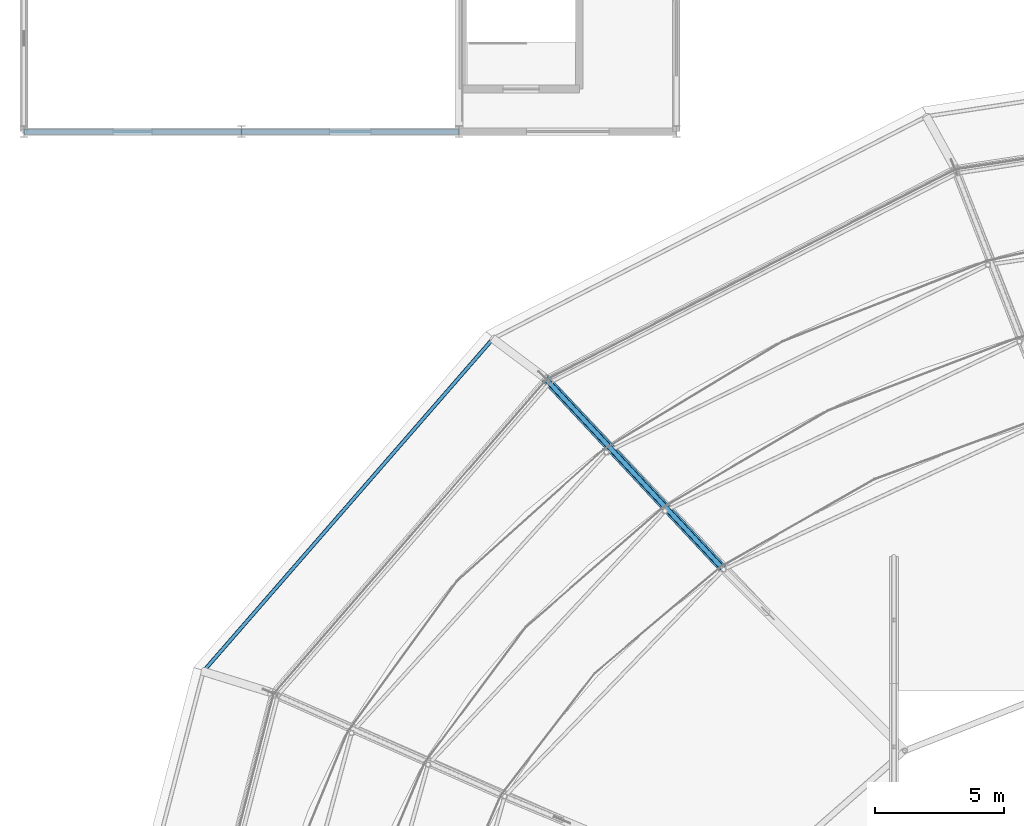
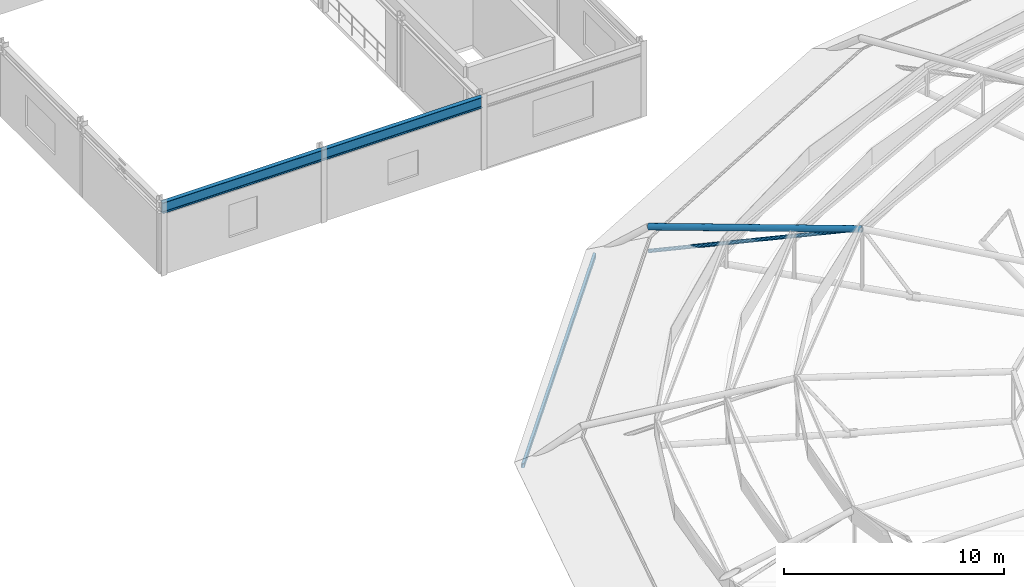
# One storey, part 40 of 134: 3 beams, 2 members.
"""IFC4 building model written with IfcOpenShell, lengths in metres."""

from ifc_helpers import new_model, si_unit, derived_unit, direction, frame, origin, origin_2d, place, context, subcontext, project, spatial, hollow_rectangle, hollow_circle, i_section, extrude, material, material_profile, profile_set, type_object, element, save


model = new_model("IFC4")

# Units and contexts
model_context = context("Model", 3, precision=1e-05, world=origin(), true_north=direction((0.0, 1.0)))
body_context = subcontext(model_context, "Body", "Model", "MODEL_VIEW")
ifc_project = project(units=[si_unit("LENGTHUNIT", "METRE"), si_unit("AREAUNIT", "SQUARE_METRE"), si_unit("VOLUMEUNIT", "CUBIC_METRE"), si_unit("PLANEANGLEUNIT", "RADIAN"), si_unit("MASSUNIT", "GRAM", prefix="KILO"), derived_unit("THERMALTRANSMITTANCEUNIT", [(si_unit("MASSUNIT", "GRAM", prefix="KILO"), 1), (si_unit("TIMEUNIT", "SECOND"), -3), (si_unit("THERMODYNAMICTEMPERATUREUNIT", "KELVIN"), -1)])], contexts=[model_context])

# Site, building, storey
site_placement = place(None, origin())
site = spatial("IfcSite", under=ifc_project, at=site_placement, CompositionType="ELEMENT")
building_placement = place(site_placement, origin())
building = spatial("IfcBuilding", under=site, at=building_placement, Name="Kharveza Railside Sports Centre", CompositionType="ELEMENT")
storey_placement = place(building_placement, frame((0.0, 0.0, 12.89990234375)))
storey = spatial("IfcBuildingStorey", under=building, at=storey_placement, Name="L03", CompositionType="ELEMENT", Elevation=12.89990234375)

# Beams
ifc_material = material(Name="Steel S355J2", Category="steel")
ifc_material_profile_1 = material_profile(ifc_material, i_section(OverallWidth=0.219970703125, OverallDepth=0.60009765625, WebThickness=0.011962890625, FlangeThickness=0.01904296875, FilletRadius=0.02392578125, at=origin_2d()), Name="IPE 600")
ifc_profile_set_1 = profile_set([ifc_material_profile_1], Name="Steel S355J2")
beam_type_1 = type_object("IfcBeamType", Name="BM-G01", PredefinedType="T_BEAM", material=ifc_profile_set_1)
beam_1_placement = place(storey_placement, frame((0.0, 86.39990234375, 3.66015625), z_axis=(1.0, 0.0, 0.0), x_axis=(0.0, 1.0, 0.0)))
element("IfcBeam", 1, at=beam_1_placement, inside=storey, type_object=beam_type_1, Name="BM-EW-L03-B01-X0-Y864", PredefinedType="T_BEAM", context=body_context, shape_type="SweptSolid", body=[
    extrude(i_section(OverallWidth=0.219970703125, OverallDepth=0.60009765625, WebThickness=0.011962890625, FlangeThickness=0.01904296875, FilletRadius=0.02392578125, at=origin_2d()), origin(), (0.0, 0.0, 1.0), 8.39990234375),
])
beam_2_placement = place(storey_placement, frame((8.39990234375, 86.39990234375, 3.66015625), z_axis=(1.0, 0.0, 0.0), x_axis=(0.0, 1.0, 0.0)))
element("IfcBeam", 2, at=beam_2_placement, inside=storey, type_object=beam_type_1, Name="BM-EW-L03-B01-X84-Y864", PredefinedType="T_BEAM", context=body_context, shape_type="SweptSolid", body=[
    extrude(i_section(OverallWidth=0.219970703125, OverallDepth=0.60009765625, WebThickness=0.011962890625, FlangeThickness=0.01904296875, FilletRadius=0.02392578125, at=origin_2d()), origin(), (0.0, 0.0, 1.0), 8.400146484375),
])
ifc_material_profile_2 = material_profile(ifc_material, hollow_rectangle(XDim=0.14990234375, YDim=0.25, WallThickness=0.010009765625, InnerFilletRadius=0.010009765625, OuterFilletRadius=0.02001953125, at=origin_2d()), Name="RHS 150x250x10.0")
ifc_profile_set_2 = profile_set([ifc_material_profile_2], Name="Steel S355J2")
beam_type_2 = type_object("IfcBeamType", Name="BM-SP04", PredefinedType="SPANDREL", material=ifc_profile_set_2)
beam_3_placement = place(storey_placement, frame((18.11328125, 78.4013671875, -0.47998046875), z_axis=(-0.656649810387, -0.754195615553, 0.0), x_axis=(0.754195615553, -0.656649810387, 0.0)))
element("IfcBeam", 3, at=beam_3_placement, inside=storey, type_object=beam_type_2, Name="BM-LIDRING-RIM-07", PredefinedType="SPANDREL", context=body_context, shape_type="SweptSolid", body=[
    extrude(hollow_rectangle(XDim=0.14990234375, YDim=0.25, WallThickness=0.010009765625, InnerFilletRadius=0.010009765625, OuterFilletRadius=0.02001953125, at=origin_2d()), origin(), (0.0, 0.0, 1.0), 17.0341796875),
])

# Members
ifc_material_profile_3 = material_profile(ifc_material, hollow_circle(Radius=0.161865234375, WallThickness=0.01611328125, at=origin_2d()), Name="CHS 323.9x16.0")
ifc_profile_set_3 = profile_set([ifc_material_profile_3], Name="Steel S355J2")
member_type_1 = type_object("IfcMemberType", Name="MB-CH02", PredefinedType="CHORD", material=ifc_profile_set_3)
member_1_placement = place(storey_placement, frame((27.022705078125, 69.491943359375, 3.25), z_axis=(-0.670071214212, 0.717948620491, -0.188558601554), x_axis=(-0.731062462895, -0.682310541723, 0.0)))
element("IfcMember", 4, at=member_1_placement, inside=storey, type_object=member_type_1, Name="MB-OUT-TC2-07", PredefinedType="CHORD", context=body_context, shape_type="SweptSolid", body=[
    extrude(hollow_circle(Radius=0.161865234375, WallThickness=0.01611328125, at=origin_2d()), origin(), (0.0, 0.0, 1.0), 10.34130859375),
])
ifc_material_profile_4 = material_profile(ifc_material, hollow_circle(Radius=0.096923828125, WallThickness=0.010009765625, at=origin_2d()), Name="CHS 193.7x10.0")
ifc_profile_set_4 = profile_set([ifc_material_profile_4], Name="Steel S355J2")
member_type_2 = type_object("IfcMemberType", Name="MB-ST02", PredefinedType="STRUT", material=ifc_profile_set_4)
member_2_placement = place(storey_placement, frame((27.022705078125, 69.491943359375, 3.25), z_axis=(-0.648916467759, 0.695282341578, -0.309014374035), x_axis=(-0.731062462895, -0.682310541723, 0.0)))
element("IfcMember", 5, at=member_2_placement, inside=storey, type_object=member_type_2, Name="MB-OUT-WEB-07-3", PredefinedType="STRUT", context=body_context, shape_type="SweptSolid", body=[
    extrude(hollow_circle(Radius=0.096923828125, WallThickness=0.010009765625, at=origin_2d()), origin(), (0.0, 0.0, 1.0), 10.678466796875),
])

save(model, "model.ifc")
